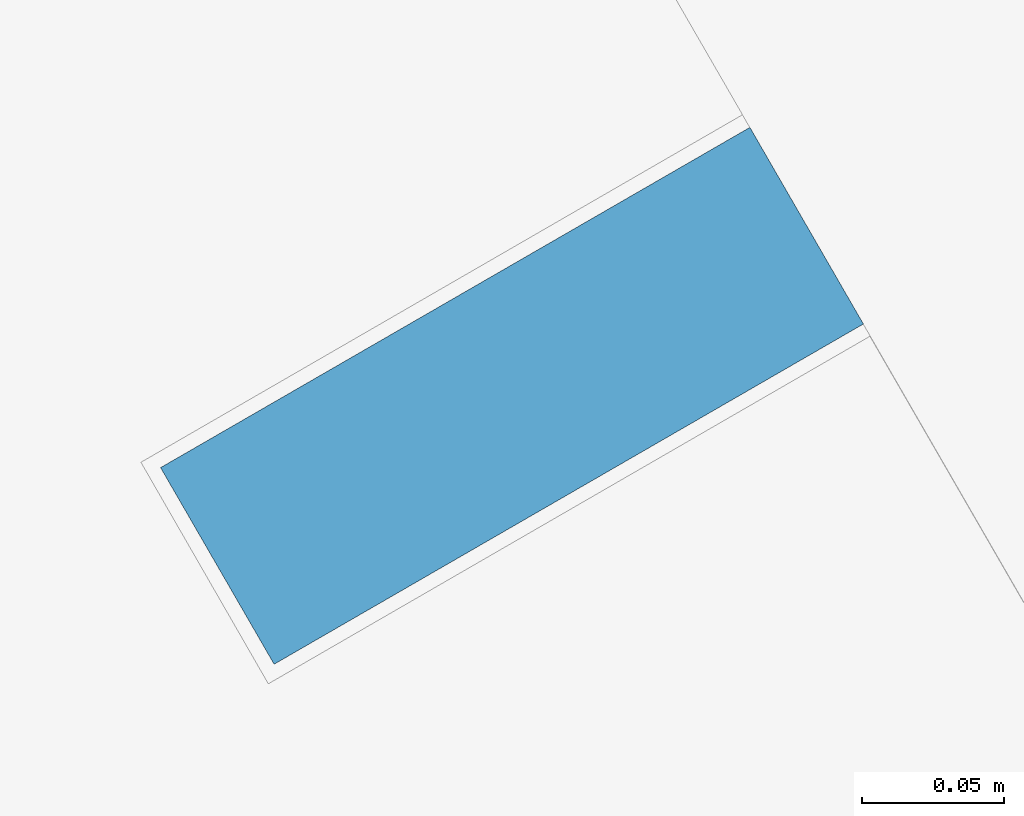
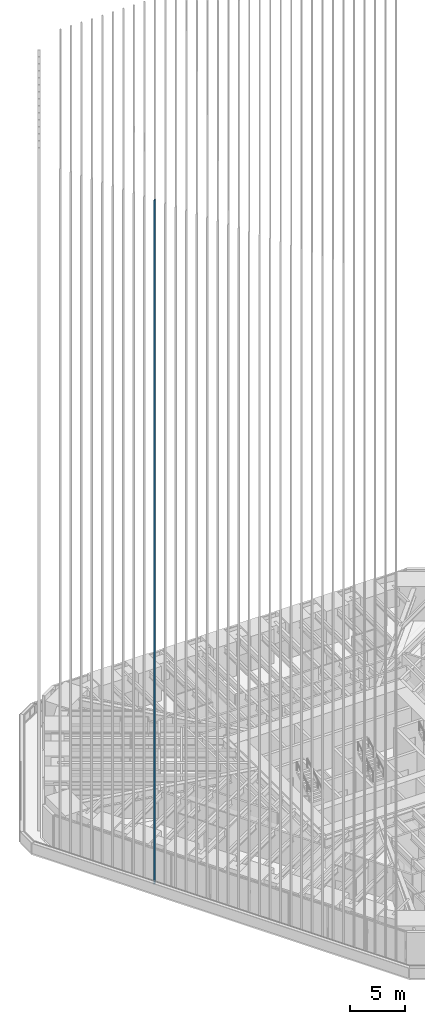
# One storey, part 47 of 238: 1 member, 1 element without a shape of its own.
"""IFC4 building model written with IfcOpenShell, lengths in metres."""

from ifc_helpers import new_model, si_unit, direction, frame, origin, origin_2d, place, context, subcontext, project, spatial, rectangle, extrude, material, material_profile, profile_set, type_object, element, aggregate, save


model = new_model("IFC4")

# Units and contexts
model_context = context("Model", 3, precision=1e-05, world=origin(), true_north=direction((0.0, 1.0)))
body_context = subcontext(model_context, "Body", "Model", "MODEL_VIEW")
ifc_project = project(units=[si_unit("LENGTHUNIT", "METRE"), si_unit("AREAUNIT", "SQUARE_METRE"), si_unit("VOLUMEUNIT", "CUBIC_METRE"), si_unit("PLANEANGLEUNIT", "RADIAN"), si_unit("MASSUNIT", "GRAM", prefix="KILO")], contexts=[model_context])

# Site, building, storey
site_placement = place(None, origin())
site = spatial("IfcSite", under=ifc_project, at=site_placement, CompositionType="ELEMENT")
building_placement = place(site_placement, origin())
building = spatial("IfcBuilding", under=site, at=building_placement, Name="Sandreach Pilgrim Tower", CompositionType="ELEMENT")
storey_placement = place(building_placement, frame((0.0, 0.0, 96.800048828125)))
storey = spatial("IfcBuildingStorey", under=building, at=storey_placement, Name="L23", CompositionType="ELEMENT", Elevation=96.800048828125)

# Curtain wall, member
ifc_material_1 = material(Name="Aluminium framed curtain wall", Category="aluminium")
curtain_wall_type = type_object("IfcCurtainWallType", Name="Hotel tower curtain wall", PredefinedType="NOTDEFINED", material=ifc_material_1)
curtain_wall_placement = place(storey_placement, origin())
curtain_wall = element("IfcCurtainWall", 1, at=curtain_wall_placement, inside=storey, type_object=curtain_wall_type, Name="CW-2 L23 SW", PredefinedType="NOTDEFINED")
ifc_material_2 = material(Name="Extruded terracotta on aluminium core", Category="masonry")
ifc_material_profile = material_profile(ifc_material_2, rectangle(XDim=0.080078125, YDim=0.239990234375, at=origin_2d()), Name="TBW 80X240")
ifc_profile_set = profile_set([ifc_material_profile], Name="Extruded terracotta on aluminium core")
member_type = type_object("IfcMemberType", Name="Terracotta baguette west", PredefinedType="USERDEFINED", material=ifc_profile_set)
member_placement = place(storey_placement, frame((-23.69873046875, -4.780029296875, 0.0), z_axis=(0.0, 0.0, 1.0), x_axis=(-0.5, 0.866025403784, 0.0)))
member = element("IfcMember", 2, at=member_placement, type_object=member_type, Name="Baguette Z2 SW24", ObjectType="BAGUETTE", PredefinedType="USERDEFINED", context=body_context, shape_type="SweptSolid", body=[
    extrude(rectangle(XDim=0.080078125, YDim=0.239990234375, at=origin_2d()), origin(), (0.0, 0.0, 1.0), 75.83984375),
])
aggregate(curtain_wall, [member])

save(model, "model.ifc")
